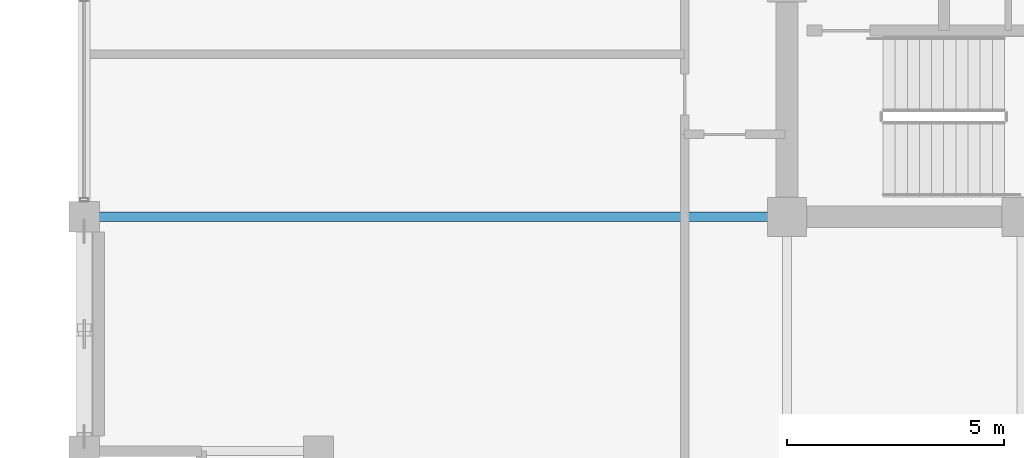
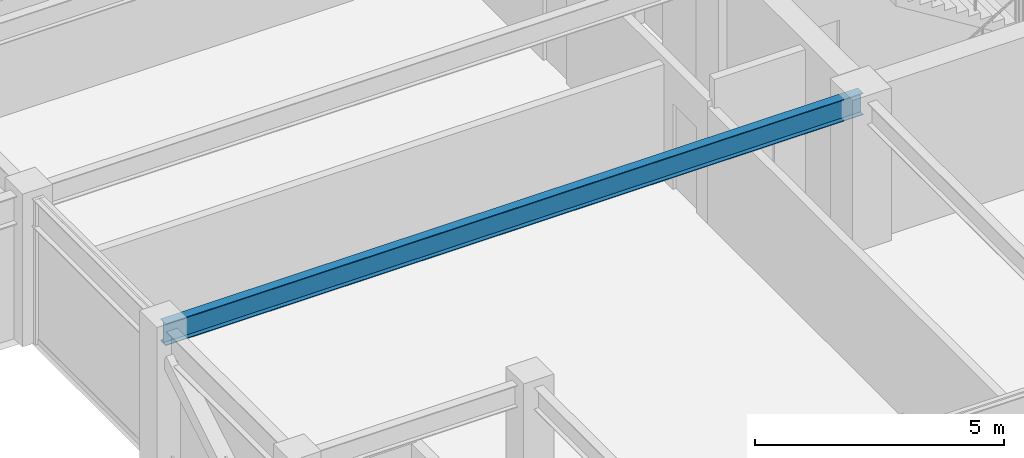
# One storey, part 5 of 32: 1 beam.
"""IFC4 building model written with IfcOpenShell, lengths in metres."""

from ifc_helpers import new_model, si_unit, direction, frame, origin, origin_2d, place, context, subcontext, project, spatial, i_section, extrude, material, material_profile, profile_set, type_object, element, save


model = new_model("IFC4")

# Units and contexts
model_context = context("Model", 3, precision=1e-05, world=origin(), true_north=direction((0.0, 1.0)))
body_context = subcontext(model_context, "Body", "Model", "MODEL_VIEW")
ifc_project = project(units=[si_unit("LENGTHUNIT", "METRE"), si_unit("AREAUNIT", "SQUARE_METRE"), si_unit("VOLUMEUNIT", "CUBIC_METRE"), si_unit("PLANEANGLEUNIT", "RADIAN"), si_unit("MASSUNIT", "GRAM", prefix="KILO")], contexts=[model_context])

# Site, building, storey
site_placement = place(None, origin())
site = spatial("IfcSite", under=ifc_project, at=site_placement, CompositionType="ELEMENT")
building_placement = place(site_placement, origin())
building = spatial("IfcBuilding", under=site, at=building_placement, Name="Surkhivell Harbour Commons", CompositionType="ELEMENT")
storey_placement = place(building_placement, frame((0.0, 0.0, 311.25)))
storey = spatial("IfcBuildingStorey", under=building, at=storey_placement, Name="L81", CompositionType="ELEMENT", Elevation=311.25)

# Beam
ifc_material = material(Name="Steel S355", Category="steel")
ifc_material_profile = material_profile(ifc_material, i_section(OverallWidth=0.2099609375, OverallDepth=0.537109375, WebThickness=0.0107421875, FlangeThickness=0.017333984375, at=origin_2d()), Name="UB533x210x101")
ifc_profile_set = profile_set([ifc_material_profile], Name="Steel S355")
beam_type = type_object("IfcBeamType", Name="BM-GRD-533B", PredefinedType="BEAM", material=ifc_profile_set)
beam_placement = place(storey_placement, frame((-27.0, -10.800048828125, 3.301513671875), z_axis=(1.0, 0.0, 0.0), x_axis=(0.0, 1.0, 0.0)))
element("IfcBeam", 1, at=beam_placement, inside=storey, type_object=beam_type, Name="L81 Floor Girder (-27.0,-10.8)", PredefinedType="BEAM", context=body_context, shape_type="SweptSolid", body=[
    extrude(i_section(OverallWidth=0.2099609375, OverallDepth=0.537109375, WebThickness=0.0107421875, FlangeThickness=0.017333984375, at=origin_2d()), origin(), (0.0, 0.0, 1.0), 16.199951171875),
])

save(model, "model.ifc")
